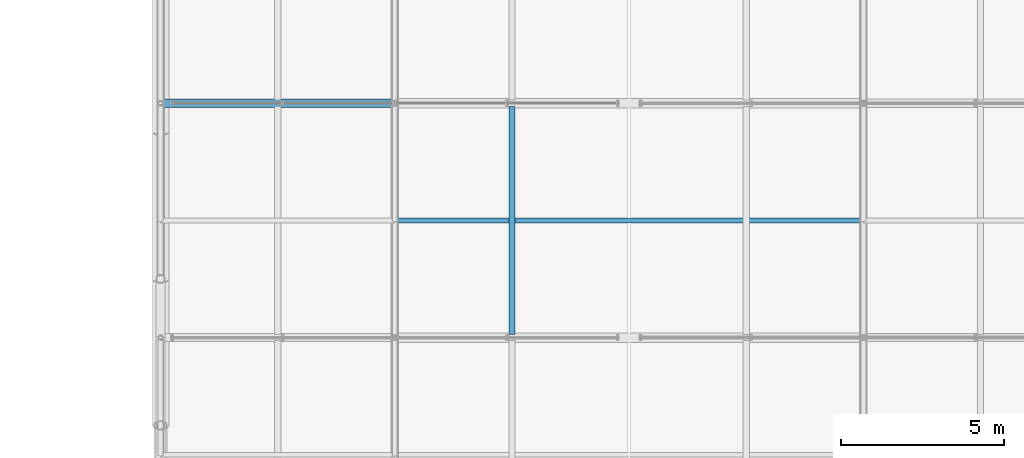
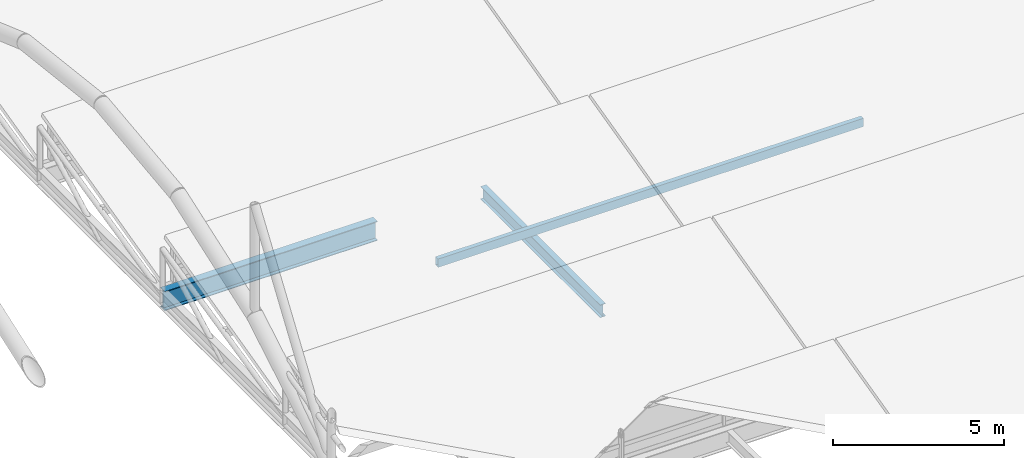
# One storey, part 67 of 144: 2 beams, 1 member.
"""IFC4 building model written with IfcOpenShell, lengths in metres."""

from ifc_helpers import new_model, si_unit, direction, frame, origin, origin_2d, place, context, subcontext, project, spatial, hollow_rectangle, i_section, extrude, material, material_profile, profile_set, type_object, element, save


model = new_model("IFC4")

# Units and contexts
model_context = context("Model", 3, precision=1e-05, world=origin(), true_north=direction((0.0, 1.0)))
body_context = subcontext(model_context, "Body", "Model", "MODEL_VIEW")
ifc_project = project(units=[si_unit("LENGTHUNIT", "METRE"), si_unit("AREAUNIT", "SQUARE_METRE"), si_unit("VOLUMEUNIT", "CUBIC_METRE"), si_unit("PLANEANGLEUNIT", "RADIAN"), si_unit("MASSUNIT", "GRAM", prefix="KILO")], contexts=[model_context])

# Site, building, storey
site_placement = place(None, origin())
site = spatial("IfcSite", under=ifc_project, at=site_placement, CompositionType="ELEMENT")
building_placement = place(site_placement, origin())
building = spatial("IfcBuilding", under=site, at=building_placement, Name="Yarey Park Central Fire Station", CompositionType="ELEMENT")
storey_placement = place(building_placement, frame((0.0, 0.0, 10.199951171875)))
storey = spatial("IfcBuildingStorey", under=building, at=storey_placement, Name="L03", CompositionType="ELEMENT", Elevation=10.199951171875)

# Beams
ifc_material_1 = material(Name="Steel ASTM A992 Gr. 50", Category="steel")
ifc_material_profile_1 = material_profile(ifc_material_1, i_section(OverallWidth=0.256103515625, OverallDepth=0.693115234375, WebThickness=0.014404296875, FlangeThickness=0.023681640625, at=origin_2d()), Name="W690x170")
ifc_profile_set_1 = profile_set([ifc_material_profile_1], Name="Steel ASTM A992 Gr. 50")
beam_type_1 = type_object("IfcBeamType", Name="STR_BM_W690", PredefinedType="BEAM", material=ifc_profile_set_1)
beam_1_placement = place(storey_placement, frame((136.800048828125, 72.0, -0.5263671875), z_axis=(1.0, 0.0, 0.0), x_axis=(0.0, 1.0, 0.0)))
element("IfcBeam", 1, at=beam_1_placement, inside=storey, type_object=beam_type_1, Name="BMX L03 Y720 X1368", PredefinedType="BEAM", context=body_context, shape_type="SweptSolid", body=[
    extrude(i_section(OverallWidth=0.256103515625, OverallDepth=0.693115234375, WebThickness=0.014404296875, FlangeThickness=0.023681640625, at=origin_2d()), origin(), (0.0, 0.0, 1.0), 7.199951171875),
])
ifc_material_profile_2 = material_profile(ifc_material_1, i_section(OverallWidth=0.18994140625, OverallDepth=0.45703125, WebThickness=0.009033203125, FlangeThickness=0.014404296875, at=origin_2d()), Name="W460x74")
ifc_profile_set_2 = profile_set([ifc_material_profile_2], Name="Steel ASTM A992 Gr. 50")
beam_type_2 = type_object("IfcBeamType", Name="STR_JST_W460", PredefinedType="JOIST", material=ifc_profile_set_2)
beam_2_placement = place(storey_placement, frame((147.60009765625, 64.89501953125, -0.408447265625), z_axis=(0.0, 1.0, 0.0), x_axis=(-1.0, 0.0, 0.0)))
element("IfcBeam", 2, at=beam_2_placement, inside=storey, type_object=beam_type_2, Name="JST L03 X1476 Y648", PredefinedType="JOIST", context=body_context, shape_type="SweptSolid", body=[
    extrude(i_section(OverallWidth=0.18994140625, OverallDepth=0.45703125, WebThickness=0.009033203125, FlangeThickness=0.014404296875, at=origin_2d()), origin(), (0.0, 0.0, 1.0), 7.010009765625),
])

# Member
ifc_material_2 = material(Name="Steel ASTM A500 Gr. C", Category="steel")
ifc_material_profile_3 = material_profile(ifc_material_2, hollow_rectangle(XDim=0.14990234375, YDim=0.300048828125, WallThickness=0.010009765625, at=origin_2d()), Name="HSS 300x150x10")
ifc_profile_set_3 = profile_set([ifc_material_profile_3], Name="Steel ASTM A500 Gr. C")
member_type = type_object("IfcMemberType", Name="STR_PUR_HSS300", PredefinedType="PURLIN", material=ifc_profile_set_3)
member_placement = place(storey_placement, frame((144.0, 68.39990234375, 0.462646484375), z_axis=(1.0, 0.0, 0.0), x_axis=(0.0, 1.0, 0.0)))
element("IfcMember", 3, at=member_placement, inside=storey, type_object=member_type, Name="SAW_PUR_2_B4", PredefinedType="PURLIN", context=body_context, shape_type="SweptSolid", body=[
    extrude(hollow_rectangle(XDim=0.14990234375, YDim=0.300048828125, WallThickness=0.010009765625, at=origin_2d()), origin(), (0.0, 0.0, 1.0), 14.39990234375),
])

save(model, "model.ifc")
